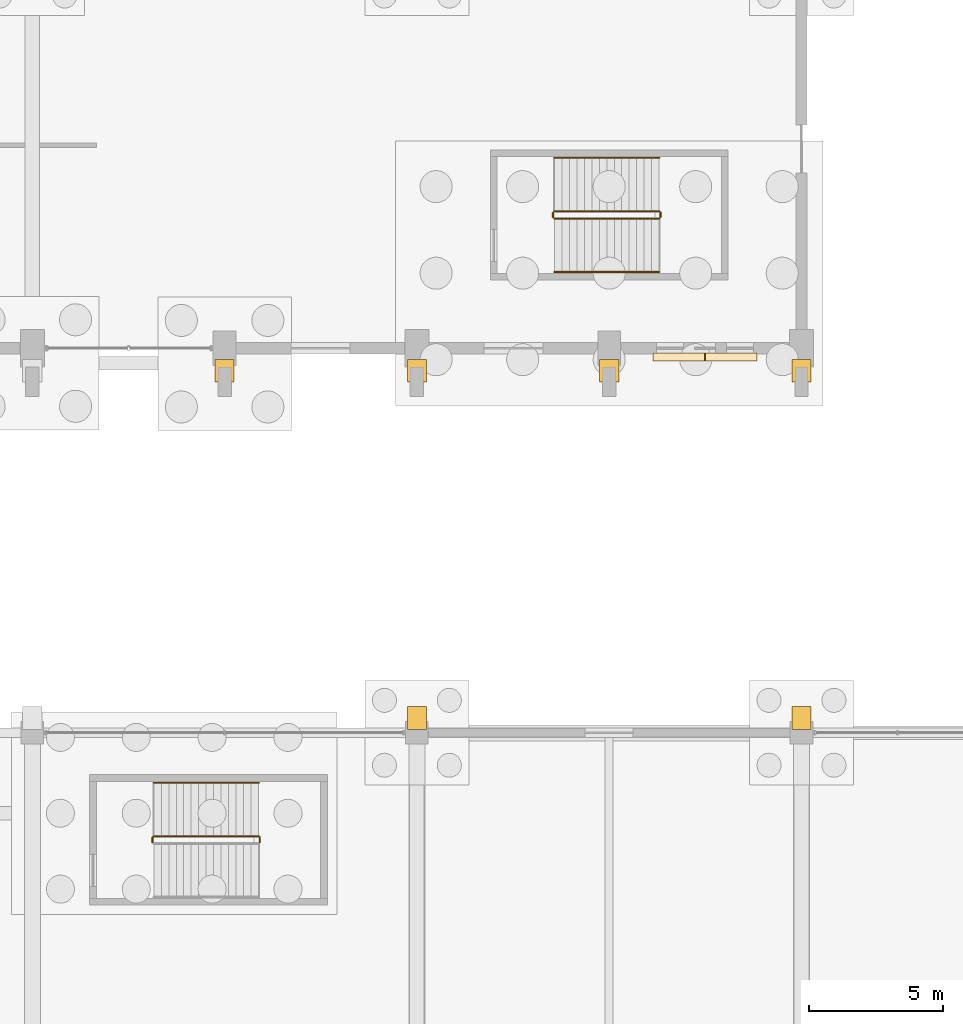
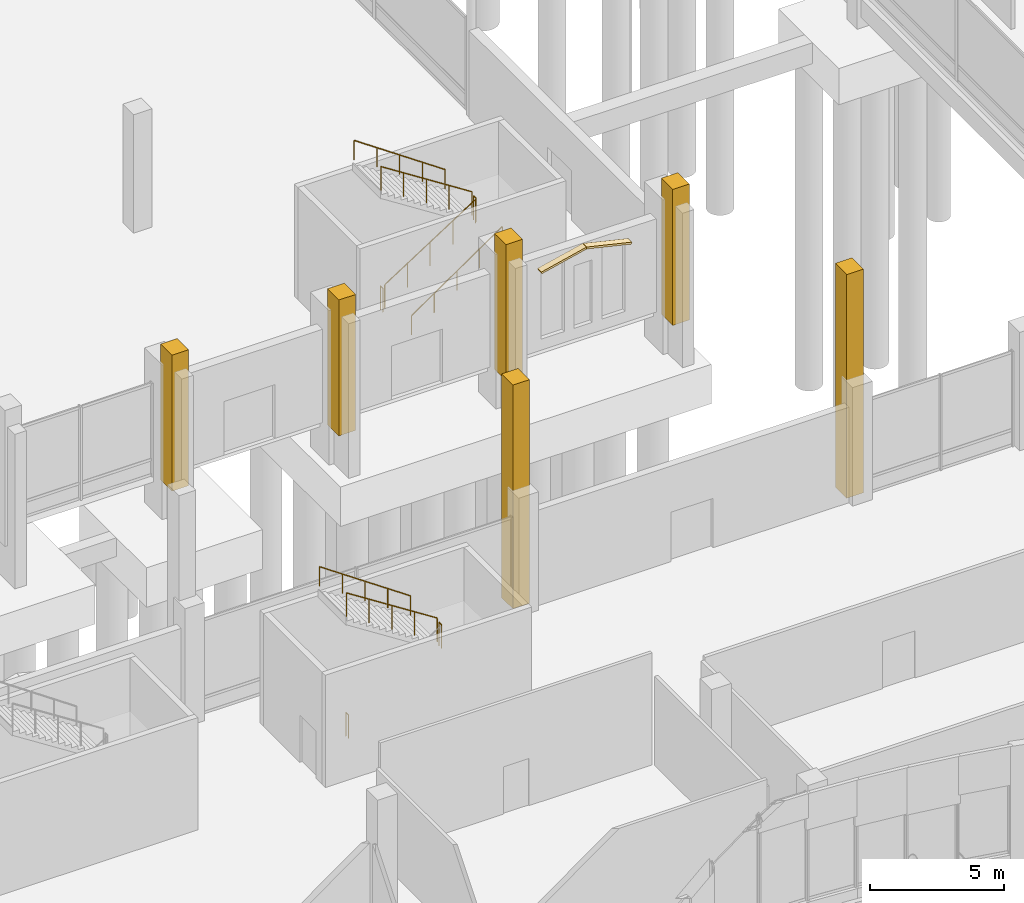
# One storey, part 177 of 192: 10 railings, 8 coverings.
"""IFC4 building model written with IfcOpenShell, lengths in metres."""

from ifc_helpers import new_model, si_unit, direction, frame, origin, origin_2d, place, context, subcontext, project, spatial, polyline, circle, outline, extrude, material, layer, layer_set, type_object, element, save


model = new_model("IFC4")

# Units and contexts
model_context = context("Model", 3, precision=1e-05, world=origin(), true_north=direction((0.0, 1.0)))
body_context = subcontext(model_context, "Body", "Model", "MODEL_VIEW")
ifc_project = project(units=[si_unit("LENGTHUNIT", "METRE"), si_unit("AREAUNIT", "SQUARE_METRE"), si_unit("VOLUMEUNIT", "CUBIC_METRE"), si_unit("PLANEANGLEUNIT", "RADIAN"), si_unit("MASSUNIT", "GRAM", prefix="KILO")], contexts=[model_context])

# Site, building, storey
site_placement = place(None, origin())
site = spatial("IfcSite", under=ifc_project, at=site_placement, CompositionType="ELEMENT")
building_placement = place(site_placement, origin())
building = spatial("IfcBuilding", under=site, at=building_placement, Name="Cendralis Lancet Convention Centre", CompositionType="ELEMENT")
storey_placement = place(building_placement, origin())
storey = spatial("IfcBuildingStorey", under=building, at=storey_placement, Name="L00", CompositionType="ELEMENT", Elevation=0.0)

# Coverings
ifc_material_1 = material(Name="Warm buff sandstone chevron cassette", Category="masonry")
ifc_layer = layer(ifc_material_1, 0.06005859375, Name="Warm buff sandstone chevron cassette")
ifc_layer_set = layer_set([ifc_layer], Name="Warm buff sandstone chevron cassette")
covering_type = type_object("IfcCoveringType", Name="ARC-CV-CLAD1", PredefinedType="CLADDING", material=ifc_layer_set)
covering_1_placement = place(storey_placement, frame((120.737548828125, 49.929931640625, 3.77001953125), z_axis=(0.228383680978, 0.0, 0.973571206571), x_axis=(0.0, 1.0, 0.0)))
element("IfcCovering", 1, at=covering_1_placement, inside=storey, type_object=covering_type, Name="L00 Gothic Pointed Lancet Hood-Mould #0017L", PredefinedType="CLADDING", context=body_context, shape_type="SweptSolid", body=[
    extrude(outline(polyline([(0.0, 0.0), (0.28515625, 0.0), (0.28515625, 1.9926035128787523), (0.0, 1.9926035128787523), (0.0, 0.0)])), origin(), (0.0, 0.0, -1.0), 0.090087890625),
])
covering_2_placement = place(storey_placement, frame((118.777587890625, 49.929931640625, 4.22509765625), z_axis=(-0.228356441324, 0.0, 0.97357759614), x_axis=(0.0, 1.0, 0.0)))
element("IfcCovering", 2, at=covering_2_placement, inside=storey, type_object=covering_type, Name="L00 Gothic Pointed Lancet Hood-Mould #0018R", PredefinedType="CLADDING", context=body_context, shape_type="SweptSolid", body=[
    extrude(outline(polyline([(0.0, 0.0), (0.28515625, 0.0), (0.28515625, 1.9928412019416295), (0.0, 1.9928412019416295), (0.0, 0.0)])), origin(), (0.0, 0.0, -1.0), 0.090087890625),
])
covering_3_placement = place(storey_placement, origin())
element("IfcCovering", 3, at=covering_3_placement, inside=storey, type_object=covering_type, Name="Gothic Stepped Stone Buttress Base #0023", PredefinedType="CLADDING", context=body_context, shape_type="SweptSolid", body=[
    extrude(outline(polyline([(100.43994140625, 49.1298828125), (101.159912109375, 49.1298828125), (101.159912109375, 49.97998046875), (100.43994140625, 49.97998046875), (100.43994140625, 49.1298828125)])), origin(), (0.0, 0.0, 1.0), 6.199951171875),
])
covering_4_placement = place(storey_placement, origin())
element("IfcCovering", 4, at=covering_4_placement, inside=storey, type_object=covering_type, Name="Gothic Stepped Stone Buttress Base #0025", PredefinedType="CLADDING", context=body_context, shape_type="SweptSolid", body=[
    extrude(outline(polyline([(107.639892578125, 49.1298828125), (108.360107421875, 49.1298828125), (108.360107421875, 49.97998046875), (107.639892578125, 49.97998046875), (107.639892578125, 49.1298828125)])), origin(), (0.0, 0.0, 1.0), 6.199951171875),
])
covering_5_placement = place(storey_placement, origin())
element("IfcCovering", 5, at=covering_5_placement, inside=storey, type_object=covering_type, Name="Gothic Stepped Stone Buttress Base #0027", PredefinedType="CLADDING", context=body_context, shape_type="SweptSolid", body=[
    extrude(outline(polyline([(114.840087890625, 49.1298828125), (115.56005859375, 49.1298828125), (115.56005859375, 49.97998046875), (114.840087890625, 49.97998046875), (114.840087890625, 49.1298828125)])), origin(), (0.0, 0.0, 1.0), 6.199951171875),
])
covering_6_placement = place(storey_placement, origin())
element("IfcCovering", 6, at=covering_6_placement, inside=storey, type_object=covering_type, Name="Gothic Stepped Stone Buttress Base #0029", PredefinedType="CLADDING", context=body_context, shape_type="SweptSolid", body=[
    extrude(outline(polyline([(122.0400390625, 49.1298828125), (122.760009765625, 49.1298828125), (122.760009765625, 49.97998046875), (122.0400390625, 49.97998046875), (122.0400390625, 49.1298828125)])), origin(), (0.0, 0.0, 1.0), 6.199951171875),
])
covering_7_placement = place(storey_placement, origin())
element("IfcCovering", 7, at=covering_7_placement, inside=storey, type_object=covering_type, Name="Gothic Stepped Stone Buttress Base #0075", PredefinedType="CLADDING", context=body_context, shape_type="SweptSolid", body=[
    extrude(outline(polyline([(108.360107421875, 36.97998046875), (107.639892578125, 36.97998046875), (107.639892578125, 36.1298828125), (108.360107421875, 36.1298828125), (108.360107421875, 36.97998046875)])), origin(), (0.0, 0.0, 1.0), 10.199951171875),
])
covering_8_placement = place(storey_placement, origin())
element("IfcCovering", 8, at=covering_8_placement, inside=storey, type_object=covering_type, Name="Gothic Stepped Stone Buttress Base #0076", PredefinedType="CLADDING", context=body_context, shape_type="SweptSolid", body=[
    extrude(outline(polyline([(122.760009765625, 36.97998046875), (122.0400390625, 36.97998046875), (122.0400390625, 36.1298828125), (122.760009765625, 36.1298828125), (122.760009765625, 36.97998046875)])), origin(), (0.0, 0.0, 1.0), 10.199951171875),
])

# Railings
ifc_material_2 = material(Name="Steel S355", Category="steel")
railing_type_1 = type_object("IfcRailingType", Name="ARC-RL-CGD", PredefinedType="GUARDRAIL", material=ifc_material_2)
railing_1_placement = place(storey_placement, frame((113.14990234375, 55.25, 0.179931640625)))
element("IfcRailing", 9, at=railing_1_placement, inside=storey, type_object=railing_type_1, Name="L00 ST-03 stair guard 1", PredefinedType="GUARDRAIL", context=body_context, shape_type="SweptSolid", body=[
    extrude(circle(Radius=0.02392578125, at=origin_2d()), frame((0.0, 0.0, 1.076171875), z_axis=(0.841186985886, 0.0, 0.540744352514), x_axis=(0.0, 1.0, 0.0)), (0.0, 0.0, 1.0), 4.660400390625),
    extrude(circle(Radius=0.02099609375, at=origin_2d()), origin(), (0.0, 0.0, 1.0), 1.052001953125),
    extrude(circle(Radius=0.02099609375, at=origin_2d()), frame((0.97998046875, 0.0, 0.6298828125)), (0.0, 0.0, 1.0), 1.052001953125),
    extrude(circle(Radius=0.02099609375, at=origin_2d()), frame((1.9599609375, 0.0, 1.260009765625)), (0.0, 0.0, 1.0), 1.052001953125),
    extrude(circle(Radius=0.02099609375, at=origin_2d()), frame((2.940185546875, 0.0, 1.89013671875)), (0.0, 0.0, 1.0), 1.052001953125),
    extrude(circle(Radius=0.02099609375, at=origin_2d()), frame((3.920166015625, 0.0, 2.52001953125)), (0.0, 0.0, 1.0), 1.052001953125),
])
railing_2_placement = place(storey_placement, frame((117.1201171875, 55.300048828125, 2.699951171875)))
element("IfcRailing", 10, at=railing_2_placement, inside=storey, type_object=railing_type_1, Name="L00 ST-03 stair guard 2", PredefinedType="GUARDRAIL", context=body_context, shape_type="SweptSolid", body=[
    extrude(circle(Radius=0.02392578125, at=origin_2d()), frame((0.0, 0.0, 1.076171875), z_axis=(0.0, 1.0, 0.0), x_axis=(-1.0, 0.0, 0.0)), (0.0, 0.0, 1.0), 0.179931640625),
    extrude(circle(Radius=0.02099609375, at=origin_2d()), origin(), (0.0, 0.0, 1.0), 1.052001953125),
    extrude(circle(Radius=0.02099609375, at=origin_2d()), frame((0.0, 0.179931640625, 0.0)), (0.0, 0.0, 1.0), 1.052001953125),
])
railing_3_placement = place(storey_placement, frame((117.070068359375, 55.530029296875, 2.8798828125)))
element("IfcRailing", 11, at=railing_3_placement, inside=storey, type_object=railing_type_1, Name="L00 ST-03 stair guard 3", PredefinedType="GUARDRAIL", context=body_context, shape_type="SweptSolid", body=[
    extrude(circle(Radius=0.02392578125, at=origin_2d()), frame((0.0, 0.0, 1.076171875), z_axis=(-0.841186985886, 0.0, 0.540744352514), x_axis=(0.0, -1.0, 0.0)), (0.0, 0.0, 1.0), 4.660400390625),
    extrude(circle(Radius=0.02099609375, at=origin_2d()), origin(), (0.0, 0.0, 1.0), 1.052001953125),
    extrude(circle(Radius=0.02099609375, at=origin_2d()), frame((-0.97998046875, 0.0, 0.6298828125)), (0.0, 0.0, 1.0), 1.052001953125),
    extrude(circle(Radius=0.02099609375, at=origin_2d()), frame((-1.9599609375, 0.0, 1.260009765625)), (0.0, 0.0, 1.0), 1.052001953125),
    extrude(circle(Radius=0.02099609375, at=origin_2d()), frame((-2.940185546875, 0.0, 1.89013671875)), (0.0, 0.0, 1.0), 1.052001953125),
    extrude(circle(Radius=0.02099609375, at=origin_2d()), frame((-3.920166015625, 0.0, 2.52001953125)), (0.0, 0.0, 1.0), 1.052001953125),
])
railing_4_placement = place(storey_placement, frame((113.10009765625, 55.300048828125, 0.0)))
element("IfcRailing", 12, at=railing_4_placement, inside=storey, type_object=railing_type_1, Name="L00 ST-03 stair guard 4", PredefinedType="GUARDRAIL", context=body_context, shape_type="SweptSolid", body=[
    extrude(circle(Radius=0.02392578125, at=origin_2d()), frame((0.0, 0.0, 1.076171875), z_axis=(0.0, 1.0, 0.0), x_axis=(-1.0, 0.0, 0.0)), (0.0, 0.0, 1.0), 0.179931640625),
    extrude(circle(Radius=0.02099609375, at=origin_2d()), origin(), (0.0, 0.0, 1.0), 1.052001953125),
    extrude(circle(Radius=0.02099609375, at=origin_2d()), frame((0.0, 0.179931640625, 0.0)), (0.0, 0.0, 1.0), 1.052001953125),
])
railing_5_placement = place(storey_placement, frame((102.1201171875, 31.89990234375, 2.699951171875)))
element("IfcRailing", 13, at=railing_5_placement, inside=storey, type_object=railing_type_1, Name="L00 ST-18 stair guard 2", PredefinedType="GUARDRAIL", context=body_context, shape_type="SweptSolid", body=[
    extrude(circle(Radius=0.02392578125, at=origin_2d()), frame((0.0, 0.0, 1.076171875), z_axis=(0.0, 1.0, 0.0), x_axis=(-1.0, 0.0, 0.0)), (0.0, 0.0, 1.0), 0.18017578125),
    extrude(circle(Radius=0.02099609375, at=origin_2d()), origin(), (0.0, 0.0, 1.0), 1.052001953125),
    extrude(circle(Radius=0.02099609375, at=origin_2d()), frame((0.0, 0.18017578125, 0.0)), (0.0, 0.0, 1.0), 1.052001953125),
])
railing_6_placement = place(storey_placement, frame((102.070068359375, 32.1298828125, 2.8798828125)))
element("IfcRailing", 14, at=railing_6_placement, inside=storey, type_object=railing_type_1, Name="L00 ST-18 stair guard 3", PredefinedType="GUARDRAIL", context=body_context, shape_type="SweptSolid", body=[
    extrude(circle(Radius=0.02392578125, at=origin_2d()), frame((0.0, 0.0, 1.076171875), z_axis=(-0.841186985886, 0.0, 0.540744352514), x_axis=(0.0, -1.0, 0.0)), (0.0, 0.0, 1.0), 4.660400390625),
    extrude(circle(Radius=0.02099609375, at=origin_2d()), origin(), (0.0, 0.0, 1.0), 1.052001953125),
    extrude(circle(Radius=0.02099609375, at=origin_2d()), frame((-0.97998046875, 0.0, 0.6298828125)), (0.0, 0.0, 1.0), 1.052001953125),
    extrude(circle(Radius=0.02099609375, at=origin_2d()), frame((-1.9599609375, 0.0, 1.260009765625)), (0.0, 0.0, 1.0), 1.052001953125),
    extrude(circle(Radius=0.02099609375, at=origin_2d()), frame((-2.940185546875, 0.0, 1.89013671875)), (0.0, 0.0, 1.0), 1.052001953125),
    extrude(circle(Radius=0.02099609375, at=origin_2d()), frame((-3.920166015625, 0.0, 2.52001953125)), (0.0, 0.0, 1.0), 1.052001953125),
])
railing_7_placement = place(storey_placement, frame((98.10009765625, 31.89990234375, 0.0)))
element("IfcRailing", 15, at=railing_7_placement, inside=storey, type_object=railing_type_1, Name="L00 ST-18 stair guard 4", PredefinedType="GUARDRAIL", context=body_context, shape_type="SweptSolid", body=[
    extrude(circle(Radius=0.02392578125, at=origin_2d()), frame((0.0, 0.0, 1.076171875), z_axis=(0.0, 1.0, 0.0), x_axis=(-1.0, 0.0, 0.0)), (0.0, 0.0, 1.0), 0.18017578125),
    extrude(circle(Radius=0.02099609375, at=origin_2d()), origin(), (0.0, 0.0, 1.0), 1.052001953125),
    extrude(circle(Radius=0.02099609375, at=origin_2d()), frame((0.0, 0.18017578125, 0.0)), (0.0, 0.0, 1.0), 1.052001953125),
])
railing_type_2 = type_object("IfcRailingType", Name="ARC-RL-CHR", PredefinedType="HANDRAIL", material=ifc_material_2)
railing_8_placement = place(storey_placement, frame((113.14990234375, 53.25, 0.179931640625)))
element("IfcRailing", 16, at=railing_8_placement, inside=storey, type_object=railing_type_2, Name="L00 ST-03 stair handrail 1", PredefinedType="HANDRAIL", context=body_context, shape_type="SweptSolid", body=[
    extrude(circle(Radius=0.02392578125, at=origin_2d()), frame((0.0, 0.0, 0.8759765625), z_axis=(0.823567234665, 0.0, 0.567218661528), x_axis=(0.0, 1.0, 0.0)), (0.0, 0.0, 1.0), 4.760009765625),
    extrude(circle(Radius=0.02099609375, at=origin_2d()), origin(), (0.0, 0.0, 1.0), 0.851806640625),
    extrude(circle(Radius=0.02099609375, at=origin_2d()), frame((0.97998046875, 0.0, 0.675048828125)), (0.0, 0.0, 1.0), 0.851806640625),
    extrude(circle(Radius=0.02099609375, at=origin_2d()), frame((1.9599609375, 0.0, 1.35009765625)), (0.0, 0.0, 1.0), 0.851806640625),
    extrude(circle(Radius=0.02099609375, at=origin_2d()), frame((2.940185546875, 0.0, 2.02490234375)), (0.0, 0.0, 1.0), 0.851806640625),
    extrude(circle(Radius=0.02099609375, at=origin_2d()), frame((3.920166015625, 0.0, 2.699951171875)), (0.0, 0.0, 1.0), 0.851806640625),
])
for number, where, name in (
    (17, (117.070068359375, 57.530029296875, 2.8798828125), "L00 ST-03 stair handrail 2"),
    (18, (102.070068359375, 34.1298828125, 2.8798828125), "L00 ST-18 stair handrail 2"),
):
    element("IfcRailing", number, at=place(storey_placement, frame(where)), inside=storey, type_object=railing_type_2, Name=name, PredefinedType="HANDRAIL", context=body_context, shape_type="SweptSolid", body=[
        extrude(circle(Radius=0.02392578125, at=origin_2d()), frame((0.0, 0.0, 0.8759765625), z_axis=(-0.82354327477, 0.0, 0.567253448276), x_axis=(0.0, -1.0, 0.0)), (0.0, 0.0, 1.0), 4.760009765625),
        extrude(circle(Radius=0.02099609375, at=origin_2d()), origin(), (0.0, 0.0, 1.0), 0.851806640625),
        extrude(circle(Radius=0.02099609375, at=origin_2d()), frame((-0.97998046875, 0.0, 0.675048828125)), (0.0, 0.0, 1.0), 0.851806640625),
        extrude(circle(Radius=0.02099609375, at=origin_2d()), frame((-1.9599609375, 0.0, 1.35009765625)), (0.0, 0.0, 1.0), 0.851806640625),
        extrude(circle(Radius=0.02099609375, at=origin_2d()), frame((-2.940185546875, 0.0, 2.025146484375)), (0.0, 0.0, 1.0), 0.851806640625),
        extrude(circle(Radius=0.02099609375, at=origin_2d()), frame((-3.920166015625, 0.0, 2.7001953125)), (0.0, 0.0, 1.0), 0.851806640625),
    ])

save(model, "model.ifc")
